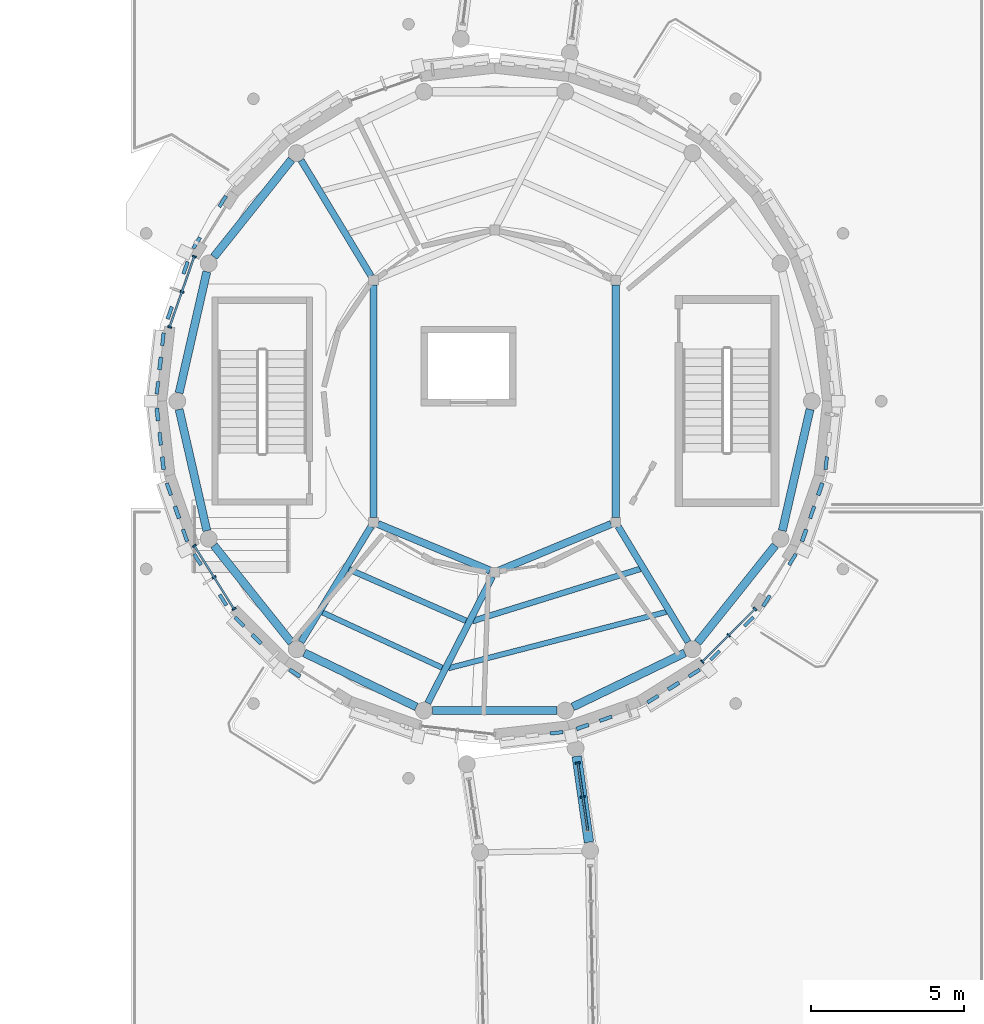
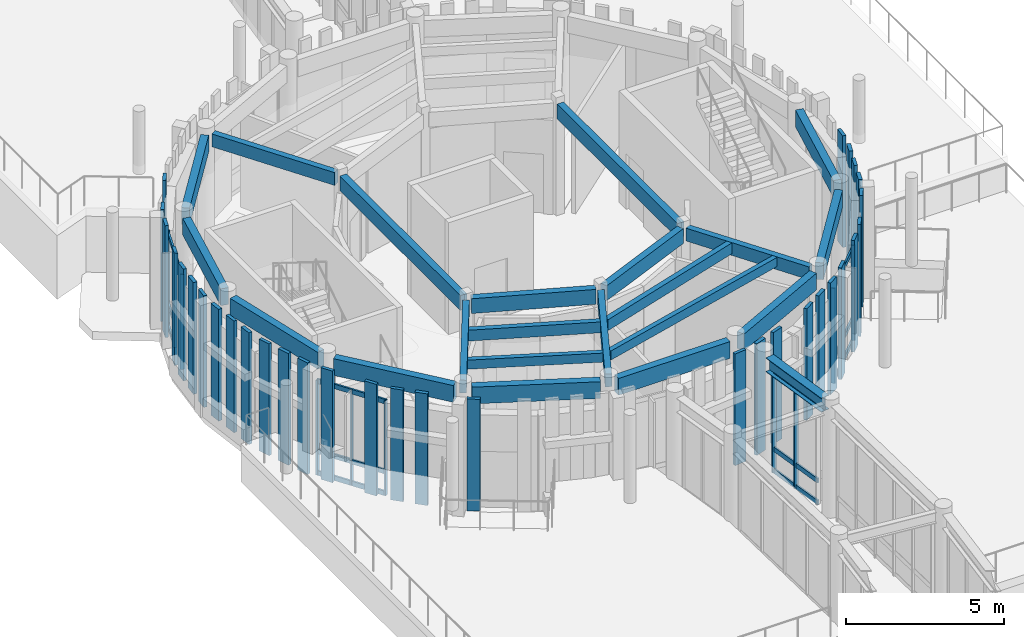
# One storey, part 11 of 94: 55 members, 22 beams, 4 elements without a shape of their own.
"""IFC4 building model written with IfcOpenShell, lengths in metres."""

from ifc_helpers import new_model, si_unit, direction, frame, origin, origin_2d, place, context, subcontext, project, spatial, rectangle, i_section, extrude, material, layer, layer_set, material_profile, profile_set, type_object, element, aggregate, save


model = new_model("IFC4")

# Units and contexts
model_context = context("Model", 3, precision=1e-05, world=origin(), true_north=direction((0.0, 1.0)))
body_context = subcontext(model_context, "Body", "Model", "MODEL_VIEW")
ifc_project = project(units=[si_unit("LENGTHUNIT", "METRE"), si_unit("AREAUNIT", "SQUARE_METRE"), si_unit("VOLUMEUNIT", "CUBIC_METRE"), si_unit("PLANEANGLEUNIT", "RADIAN"), si_unit("MASSUNIT", "GRAM", prefix="KILO")], contexts=[model_context])

# Site, building, storey
site_placement = place(None, origin())
site = spatial("IfcSite", under=ifc_project, at=site_placement, CompositionType="ELEMENT")
building_placement = place(site_placement, origin())
building = spatial("IfcBuilding", under=site, at=building_placement, Name="Aldenvaro Health Centre", CompositionType="ELEMENT")
storey_placement = place(building_placement, origin())
storey = spatial("IfcBuildingStorey", under=building, at=storey_placement, Name="L00", CompositionType="ELEMENT", Elevation=0.0)

# Beams
ifc_material_1 = material(Name="Glulam GL28h", Category="wood")
ifc_material_profile_1 = material_profile(ifc_material_1, rectangle(XDim=0.175048828125, YDim=0.35009765625, at=origin_2d()), Name="GL 175x350", Category="wood")
ifc_profile_set_1 = profile_set([ifc_material_profile_1], Name="Glulam GL28h")
beam_type_1 = type_object("IfcBeamType", Name="BM-GL-350", PredefinedType="JOIST", material=ifc_profile_set_1)
beam_1_placement = place(storey_placement, frame((17.87890625, 50.5859375, 4.1298828125), z_axis=(0.907768314823, -0.419471913963, 0.0), x_axis=(0.419471913963, 0.907768314823, 0.0)))
element("IfcBeam", 1, at=beam_1_placement, inside=storey, type_object=beam_type_1, Name="D3 L00 secondary joist 04.2", PredefinedType="JOIST", context=body_context, shape_type="SweptSolid", body=[
    extrude(rectangle(XDim=0.175048828125, YDim=0.35009765625, at=origin_2d()), origin(), (0.0, 0.0, 1.0), 4.302978515625),
])
beam_2_placement = place(storey_placement, frame((21.987060546875, 48.762939453125, 4.1298828125), z_axis=(0.968184326998, 0.250238104522, 0.0), x_axis=(-0.250238104522, 0.968184326998, 0.0)))
element("IfcBeam", 2, at=beam_2_placement, inside=storey, type_object=beam_type_1, Name="D3 L00 secondary joist 05.2", PredefinedType="JOIST", context=body_context, shape_type="SweptSolid", body=[
    extrude(rectangle(XDim=0.175048828125, YDim=0.35009765625, at=origin_2d()), origin(), (0.0, 0.0, 1.0), 7.361083984375),
])
ifc_material_profile_2 = material_profile(ifc_material_1, rectangle(XDim=0.18994140625, YDim=0.41796875, at=origin_2d()), Name="GL 190x418", Category="wood")
ifc_profile_set_2 = profile_set([ifc_material_profile_2], Name="Glulam GL28h")
beam_type_2 = type_object("IfcBeamType", Name="BM-GL-418", PredefinedType="JOIST", material=ifc_profile_set_2)
beam_3_placement = place(storey_placement, frame((18.73388671875, 52.0009765625, 4.095947265625), z_axis=(0.915566593655, -0.402166399122, 0.0), x_axis=(0.402166399122, 0.915566593655, 0.0)))
element("IfcBeam", 3, at=beam_3_placement, inside=storey, type_object=beam_type_2, Name="D3 L00 secondary joist 04.1", PredefinedType="JOIST", context=body_context, shape_type="SweptSolid", body=[
    extrude(rectangle(XDim=0.18994140625, YDim=0.41796875, at=origin_2d()), origin(), (0.0, 0.0, 1.0), 4.18994140625),
])
beam_4_placement = place(storey_placement, frame((22.77099609375, 50.304931640625, 4.095947265625), z_axis=(0.954919380911, 0.296865248825, 0.0), x_axis=(-0.296865248825, 0.954919380911, 0.0)))
element("IfcBeam", 4, at=beam_4_placement, inside=storey, type_object=beam_type_2, Name="D3 L00 secondary joist 05.1", PredefinedType="JOIST", context=body_context, shape_type="SweptSolid", body=[
    extrude(rectangle(XDim=0.18994140625, YDim=0.41796875, at=origin_2d()), origin(), (0.0, 0.0, 1.0), 5.750244140625),
])
ifc_material_profile_3 = material_profile(ifc_material_1, rectangle(XDim=0.215087890625, YDim=0.493896484375, at=origin_2d()), Name="GL 215x494", Category="wood")
ifc_profile_set_3 = profile_set([ifc_material_profile_3], Name="Glulam GL28h")
beam_type_3 = type_object("IfcBeamType", Name="BM-GL-494", PredefinedType="BEAM", material=ifc_profile_set_3)
for number, where, z_axis, x_axis, name in (
    (5, (19.458984375, 61.594970703125, 4.05810546875), (-0.517503931565, 0.855680828823, 0.0), (-0.855680828823, -0.517503931565, 0.0), "D3 L00 radial beam 03"),
    (6, (19.458984375, 53.405029296875, 4.05810546875), (-0.517503931565, -0.855680828823, 0.0), (0.855680828823, -0.517503931565, 0.0), "D3 L00 radial beam 04"),
):
    element("IfcBeam", number, at=place(storey_placement, frame(where, z_axis=z_axis, x_axis=x_axis)), inside=storey, type_object=beam_type_3, Name=name, PredefinedType="BEAM", context=body_context, shape_type="SweptSolid", body=[
        extrude(rectangle(XDim=0.215087890625, YDim=0.493896484375, at=origin_2d()), origin(), (0.0, 0.0, 1.0), 4.42333984375),
    ])
beam_5_placement = place(storey_placement, frame((23.427978515625, 51.760009765625, 4.05810546875), z_axis=(-0.455040655824, -0.890470662934, 0.0), x_axis=(0.890470662934, -0.455040655824, 0.0)))
element("IfcBeam", 7, at=beam_5_placement, inside=storey, type_object=beam_type_3, Name="D3 L00 radial beam 05", PredefinedType="BEAM", context=body_context, shape_type="SweptSolid", body=[
    extrude(rectangle(XDim=0.215087890625, YDim=0.493896484375, at=origin_2d()), origin(), (0.0, 0.0, 1.0), 4.6435546875),
])
beam_6_placement = place(storey_placement, frame((27.541015625, 53.405029296875, 4.05810546875), z_axis=(0.517503931565, -0.855680828823, 0.0), x_axis=(0.855680828823, 0.517503931565, 0.0)))
element("IfcBeam", 8, at=beam_6_placement, inside=storey, type_object=beam_type_3, Name="D3 L00 radial beam 06", PredefinedType="BEAM", context=body_context, shape_type="SweptSolid", body=[
    extrude(rectangle(XDim=0.215087890625, YDim=0.493896484375, at=origin_2d()), origin(), (0.0, 0.0, 1.0), 4.42333984375),
])
ifc_material_profile_4 = material_profile(ifc_material_1, rectangle(XDim=0.239990234375, YDim=0.570068359375, at=origin_2d()), Name="GL 240x570", Category="wood")
ifc_profile_set_4 = profile_set([ifc_material_profile_4], Name="Glulam GL28h")
beam_type_4 = type_object("IfcBeamType", Name="BM-GL-570", PredefinedType="BEAM", material=ifc_profile_set_4)
beam_7_placement = place(storey_placement, frame((19.5400390625, 61.302978515625, 4.02001953125), z_axis=(0.0, -1.0, 0.0), x_axis=(1.0, 0.0, 0.0)))
element("IfcBeam", 9, at=beam_7_placement, inside=storey, type_object=beam_type_4, Name="D3 L00 inner ring beam 03", PredefinedType="BEAM", context=body_context, shape_type="SweptSolid", body=[
    extrude(rectangle(XDim=0.239990234375, YDim=0.570068359375, at=origin_2d()), origin(), (0.0, 0.0, 1.0), 7.60595703125),
])
for number, where, z_axis, x_axis, name in (
    (10, (19.68603515625, 53.47998046875, 4.02001953125), (0.923817443679, -0.382833293686, 0.0), (0.382833293686, 0.923817443679, 0.0), "D3 L00 inner ring beam 04"),
    (11, (23.64599609375, 51.9599609375, 4.02001953125), (0.923817443679, 0.382833293686, 0.0), (-0.382833293686, 0.923817443679, 0.0), "D3 L00 inner ring beam 05"),
):
    element("IfcBeam", number, at=place(storey_placement, frame(where, z_axis=z_axis, x_axis=x_axis)), inside=storey, type_object=beam_type_4, Name=name, PredefinedType="BEAM", context=body_context, shape_type="SweptSolid", body=[
        extrude(rectangle(XDim=0.239990234375, YDim=0.570068359375, at=origin_2d()), origin(), (0.0, 0.0, 1.0), 3.970458984375),
    ])
beam_8_placement = place(storey_placement, frame((27.4599609375, 53.697021484375, 4.02001953125), z_axis=(0.0, 1.0, 0.0), x_axis=(-1.0, 0.0, 0.0)))
element("IfcBeam", 12, at=beam_8_placement, inside=storey, type_object=beam_type_4, Name="D3 L00 inner ring beam 06", PredefinedType="BEAM", context=body_context, shape_type="SweptSolid", body=[
    extrude(rectangle(XDim=0.239990234375, YDim=0.570068359375, at=origin_2d()), origin(), (0.0, 0.0, 1.0), 7.60595703125),
])
ifc_material_profile_5 = material_profile(ifc_material_1, rectangle(XDim=0.264892578125, YDim=0.64599609375, at=origin_2d()), Name="GL 265x646", Category="wood")
ifc_profile_set_5 = profile_set([ifc_material_profile_5], Name="Glulam GL28h")
beam_type_5 = type_object("IfcBeamType", Name="BM-GL-646", PredefinedType="SPANDREL", material=ifc_profile_set_5)
beam_9_placement = place(storey_placement, frame((16.85693359375, 65.39990234375, 3.98193359375), z_axis=(-0.623662856495, -0.781693444663, 0.0), x_axis=(0.781693444663, -0.623662856495, 0.0)))
element("IfcBeam", 13, at=beam_9_placement, inside=storey, type_object=beam_type_5, Name="D3 L00 perimeter spandrel 06", PredefinedType="SPANDREL", context=body_context, shape_type="SweptSolid", body=[
    extrude(rectangle(XDim=0.264892578125, YDim=0.64599609375, at=origin_2d()), origin(), (0.0, 0.0, 1.0), 4.0693359375),
])
for number, where, z_axis, x_axis, name in (
    (14, (14.0869140625, 61.736083984375, 3.98193359375), (-0.222598403524, -0.97491022702, 0.0), (0.97491022702, -0.222598403524, 0.0), "D3 L00 perimeter spandrel 07"),
    (15, (13.180908203125, 57.23193359375, 3.98193359375), (0.222598403524, -0.97491022702, 0.0), (0.97491022702, 0.222598403524, 0.0), "D3 L00 perimeter spandrel 08"),
):
    element("IfcBeam", number, at=place(storey_placement, frame(where, z_axis=z_axis, x_axis=x_axis)), inside=storey, type_object=beam_type_5, Name=name, PredefinedType="SPANDREL", context=body_context, shape_type="SweptSolid", body=[
        extrude(rectangle(XDim=0.264892578125, YDim=0.64599609375, at=origin_2d()), origin(), (0.0, 0.0, 1.0), 4.070068359375),
    ])
beam_10_placement = place(storey_placement, frame((14.319091796875, 52.781005859375, 3.98193359375), z_axis=(0.623662856495, -0.781693444663, 0.0), x_axis=(0.781693444663, 0.623662856495, 0.0)))
element("IfcBeam", 16, at=beam_10_placement, inside=storey, type_object=beam_type_5, Name="D3 L00 perimeter spandrel 09", PredefinedType="SPANDREL", context=body_context, shape_type="SweptSolid", body=[
    extrude(rectangle(XDim=0.264892578125, YDim=0.64599609375, at=origin_2d()), origin(), (0.0, 0.0, 1.0), 4.0693359375),
])
beam_11_placement = place(storey_placement, frame((17.27587890625, 49.26611328125, 3.98193359375), z_axis=(0.900812260888, -0.434208786914, 0.0), x_axis=(0.434208786914, 0.900812260888, 0.0)))
element("IfcBeam", 17, at=beam_11_placement, inside=storey, type_object=beam_type_5, Name="D3 L00 perimeter spandrel 10", PredefinedType="SPANDREL", context=body_context, shape_type="SweptSolid", body=[
    extrude(rectangle(XDim=0.264892578125, YDim=0.64599609375, at=origin_2d()), origin(), (0.0, 0.0, 1.0), 4.069580078125),
])
beam_12_placement = place(storey_placement, frame((21.465087890625, 47.3798828125, 3.98193359375), z_axis=(1.0, 0.0, 0.0), x_axis=(0.0, 1.0, 0.0)))
element("IfcBeam", 18, at=beam_12_placement, inside=storey, type_object=beam_type_5, Name="D3 L00 perimeter spandrel 11", PredefinedType="SPANDREL", context=body_context, shape_type="SweptSolid", body=[
    extrude(rectangle(XDim=0.264892578125, YDim=0.64599609375, at=origin_2d()), origin(), (0.0, 0.0, 1.0), 4.06982421875),
])
beam_13_placement = place(storey_placement, frame((26.05810546875, 47.4990234375, 3.98193359375), z_axis=(0.900812260888, 0.434208786914, 0.0), x_axis=(-0.434208786914, 0.900812260888, 0.0)))
element("IfcBeam", 19, at=beam_13_placement, inside=storey, type_object=beam_type_5, Name="D3 L00 perimeter spandrel 12", PredefinedType="SPANDREL", context=body_context, shape_type="SweptSolid", body=[
    extrude(rectangle(XDim=0.264892578125, YDim=0.64599609375, at=origin_2d()), origin(), (0.0, 0.0, 1.0), 4.069580078125),
])
beam_14_placement = place(storey_placement, frame((30.14306640625, 49.60009765625, 3.98193359375), z_axis=(0.623662856495, 0.781693444663, 0.0), x_axis=(-0.781693444663, 0.623662856495, 0.0)))
element("IfcBeam", 20, at=beam_14_placement, inside=storey, type_object=beam_type_5, Name="D3 L00 perimeter spandrel 13", PredefinedType="SPANDREL", context=body_context, shape_type="SweptSolid", body=[
    extrude(rectangle(XDim=0.264892578125, YDim=0.64599609375, at=origin_2d()), origin(), (0.0, 0.0, 1.0), 4.0693359375),
])
beam_15_placement = place(storey_placement, frame((32.9130859375, 53.263916015625, 3.98193359375), z_axis=(0.222598403524, 0.97491022702, 0.0), x_axis=(-0.97491022702, 0.222598403524, 0.0)))
element("IfcBeam", 21, at=beam_15_placement, inside=storey, type_object=beam_type_5, Name="D3 L00 perimeter spandrel 14", PredefinedType="SPANDREL", context=body_context, shape_type="SweptSolid", body=[
    extrude(rectangle(XDim=0.264892578125, YDim=0.64599609375, at=origin_2d()), origin(), (0.0, 0.0, 1.0), 4.070068359375),
])
ifc_material_2 = material(Name="Steel ASTM A992 Grade 50", Category="steel")
ifc_material_profile_6 = material_profile(ifc_material_2, i_section(OverallWidth=0.31201171875, OverallDepth=0.54296875, WebThickness=0.0126953125, FlangeThickness=0.020263671875, at=origin_2d()), Name="W21X101", Category="steel")
ifc_profile_set_6 = profile_set([ifc_material_profile_6], Name="Steel ASTM A992 Grade 50")
beam_type_6 = type_object("IfcBeamType", Name="BM-ST-W21E", PredefinedType="BEAM", material=ifc_profile_set_6)
beam_16_placement = place(storey_placement, frame((26.5869140625, 43.073974609375, 4.073974609375), z_axis=(-0.140312540229, 0.990107262399, 0.0), x_axis=(-0.990107262399, -0.140312540229, 0.0)))
element("IfcBeam", 22, at=beam_16_placement, inside=storey, type_object=beam_type_6, Name="West South Curved Garden Walkway Arc 3 L00 girder R-1", PredefinedType="BEAM", context=body_context, shape_type="SweptSolid", body=[
    extrude(i_section(OverallWidth=0.31201171875, OverallDepth=0.54296875, WebThickness=0.0126953125, FlangeThickness=0.020263671875, at=origin_2d()), origin(), (0.0, 0.0, 1.0), 2.836181640625),
])

# Curtain wall, members
ifc_material_3 = material(Name="Anodised Aluminium 6063-T6", Category="aluminium")
ifc_layer_1 = layer(ifc_material_3, 0.195068359375, Name="Anodised Aluminium 6063-T6", Category="aluminium")
ifc_layer_set_1 = layer_set([ifc_layer_1], Name="Anodised Aluminium 6063-T6")
curtain_wall_type_1 = type_object("IfcCurtainWallType", Name="CW-CLN-02", PredefinedType="NOTDEFINED", material=ifc_layer_set_1)
curtain_wall_1_placement = place(storey_placement, origin())
curtain_wall_1 = element("IfcCurtainWall", 23, at=curtain_wall_1_placement, inside=storey, type_object=curtain_wall_type_1, Name="D3 L00 curtain wall bay 04", PredefinedType="NOTDEFINED")
ifc_material_profile_7 = material_profile(ifc_material_3, rectangle(XDim=0.06005859375, YDim=0.135009765625, at=origin_2d()), Name="ALU 60x135", Category="aluminium")
ifc_profile_set_7 = profile_set([ifc_material_profile_7], Name="Anodised Aluminium 6063-T6")
member_type_1 = type_object("IfcMemberType", Name="CWM-150", PredefinedType="MULLION", material=ifc_profile_set_7)
member_1_placement = place(storey_placement, frame((32.02197265625, 50.7041015625, 0.0), z_axis=(0.0, 0.0, 1.0), x_axis=(-0.707106781187, -0.707106781187, 0.0)))
member_1 = element("IfcMember", 24, at=member_1_placement, type_object=member_type_1, Name="D3 L00 curtain wall bay 04 mullion 1", PredefinedType="MULLION", context=body_context, shape_type="SweptSolid", body=[
    extrude(rectangle(XDim=0.06005859375, YDim=0.135009765625, at=origin_2d()), origin(), (0.0, 0.0, 1.0), 3.658935546875),
])
member_2_placement = place(storey_placement, frame((31.158935546875, 49.841064453125, 0.0), z_axis=(0.0, 0.0, 1.0), x_axis=(-0.707106781187, -0.707106781187, 0.0)))
member_2 = element("IfcMember", 25, at=member_2_placement, type_object=member_type_1, Name="D3 L00 curtain wall bay 04 mullion 2", PredefinedType="MULLION", context=body_context, shape_type="SweptSolid", body=[
    extrude(rectangle(XDim=0.06005859375, YDim=0.135009765625, at=origin_2d()), origin(), (0.0, 0.0, 1.0), 3.658935546875),
])
member_3_placement = place(storey_placement, frame((30.2958984375, 48.97802734375, 0.0), z_axis=(0.0, 0.0, 1.0), x_axis=(-0.707106781187, -0.707106781187, 0.0)))
member_3 = element("IfcMember", 26, at=member_3_placement, type_object=member_type_1, Name="D3 L00 curtain wall bay 04 mullion 3", PredefinedType="MULLION", context=body_context, shape_type="SweptSolid", body=[
    extrude(rectangle(XDim=0.06005859375, YDim=0.135009765625, at=origin_2d()), origin(), (0.0, 0.0, 1.0), 3.658935546875),
])

curtain_wall_2_placement = place(storey_placement, origin())
curtain_wall_2 = element("IfcCurtainWall", 27, at=curtain_wall_2_placement, inside=storey, type_object=curtain_wall_type_1, Name="D3 L00 curtain wall bay 12", PredefinedType="NOTDEFINED")
member_4_placement = place(storey_placement, frame((14.97802734375, 50.7041015625, 0.0), z_axis=(0.0, 0.0, 1.0), x_axis=(-0.532096042675, 0.846684003256, 0.0)))
member_4 = element("IfcMember", 28, at=member_4_placement, type_object=member_type_1, Name="D3 L00 curtain wall bay 12 mullion 1", PredefinedType="MULLION", context=body_context, shape_type="SweptSolid", body=[
    extrude(rectangle(XDim=0.06005859375, YDim=0.135009765625, at=origin_2d()), origin(), (0.0, 0.0, 1.0), 3.658935546875),
])
member_5_placement = place(storey_placement, frame((14.3291015625, 51.737060546875, 0.0), z_axis=(0.0, 0.0, 1.0), x_axis=(-0.532096042675, 0.846684003256, 0.0)))
member_5 = element("IfcMember", 29, at=member_5_placement, type_object=member_type_1, Name="D3 L00 curtain wall bay 12 mullion 2", PredefinedType="MULLION", context=body_context, shape_type="SweptSolid", body=[
    extrude(rectangle(XDim=0.06005859375, YDim=0.135009765625, at=origin_2d()), origin(), (0.0, 0.0, 1.0), 3.658935546875),
])
member_6_placement = place(storey_placement, frame((13.678955078125, 52.77099609375, 0.0), z_axis=(0.0, 0.0, 1.0), x_axis=(-0.532096042675, 0.846684003256, 0.0)))
member_6 = element("IfcMember", 30, at=member_6_placement, type_object=member_type_1, Name="D3 L00 curtain wall bay 12 mullion 3", PredefinedType="MULLION", context=body_context, shape_type="SweptSolid", body=[
    extrude(rectangle(XDim=0.06005859375, YDim=0.135009765625, at=origin_2d()), origin(), (0.0, 0.0, 1.0), 3.658935546875),
])

curtain_wall_3_placement = place(storey_placement, origin())
curtain_wall_3 = element("IfcCurtainWall", 31, at=curtain_wall_3_placement, inside=storey, type_object=curtain_wall_type_1, Name="D3 L00 curtain wall bay 16", PredefinedType="NOTDEFINED")
member_7_placement = place(storey_placement, frame((12.873046875, 59.925048828125, 0.0), z_axis=(0.0, 0.0, 1.0), x_axis=(0.330204431323, 0.943909441385, 0.0)))
member_7 = element("IfcMember", 32, at=member_7_placement, type_object=member_type_1, Name="D3 L00 curtain wall bay 16 mullion 1", PredefinedType="MULLION", context=body_context, shape_type="SweptSolid", body=[
    extrude(rectangle(XDim=0.06005859375, YDim=0.135009765625, at=origin_2d()), origin(), (0.0, 0.0, 1.0), 3.658935546875),
])
member_8_placement = place(storey_placement, frame((13.27587890625, 61.076904296875, 0.0), z_axis=(0.0, 0.0, 1.0), x_axis=(0.330204431323, 0.943909441385, 0.0)))
member_8 = element("IfcMember", 33, at=member_8_placement, type_object=member_type_1, Name="D3 L00 curtain wall bay 16 mullion 2", PredefinedType="MULLION", context=body_context, shape_type="SweptSolid", body=[
    extrude(rectangle(XDim=0.06005859375, YDim=0.135009765625, at=origin_2d()), origin(), (0.0, 0.0, 1.0), 3.658935546875),
])
member_9_placement = place(storey_placement, frame((13.678955078125, 62.22900390625, 0.0), z_axis=(0.0, 0.0, 1.0), x_axis=(0.330204431323, 0.943909441385, 0.0)))
member_9 = element("IfcMember", 34, at=member_9_placement, type_object=member_type_1, Name="D3 L00 curtain wall bay 16 mullion 3", PredefinedType="MULLION", context=body_context, shape_type="SweptSolid", body=[
    extrude(rectangle(XDim=0.06005859375, YDim=0.135009765625, at=origin_2d()), origin(), (0.0, 0.0, 1.0), 3.658935546875),
])

ifc_layer_2 = layer(ifc_material_3, 0.2099609375, Name="Anodised Aluminium 6063-T6", Category="aluminium")
ifc_layer_set_2 = layer_set([ifc_layer_2], Name="Anodised Aluminium 6063-T6")
curtain_wall_type_2 = type_object("IfcCurtainWallType", Name="CW-BRG-03", PredefinedType="NOTDEFINED", material=ifc_layer_set_2)
curtain_wall_4_placement = place(storey_placement, origin())
curtain_wall_4 = element("IfcCurtainWall", 35, at=curtain_wall_4_placement, inside=storey, type_object=curtain_wall_type_2, Name="West South Curved Garden Walkway Arc 3 L00 glazed link wall R-1.1", PredefinedType="NOTDEFINED")
ifc_material_profile_8 = material_profile(ifc_material_3, rectangle(XDim=0.06005859375, YDim=0.159912109375, at=origin_2d()), Name="ALU 60x160", Category="aluminium")
ifc_profile_set_8 = profile_set([ifc_material_profile_8], Name="Anodised Aluminium 6063-T6")
member_type_2 = type_object("IfcMemberType", Name="CWM-180", PredefinedType="MULLION", material=ifc_profile_set_8)
member_10_placement = place(storey_placement, frame((26.384033203125, 44.555908203125, 0.0), z_axis=(0.0, 0.0, 1.0), x_axis=(-0.144980265004, 0.989434546981, 0.0)))
member_10 = element("IfcMember", 36, at=member_10_placement, type_object=member_type_2, Name="West South Curved Garden Walkway Arc 3 L00 glazed link wall R-1.1 mullion 2", PredefinedType="MULLION", context=body_context, shape_type="SweptSolid", body=[
    extrude(rectangle(XDim=0.06005859375, YDim=0.159912109375, at=origin_2d()), origin(), (0.0, 0.0, 1.0), 3.804931640625),
])
member_11_placement = place(storey_placement, frame((26.220947265625, 45.6650390625, 0.0), z_axis=(0.0, 0.0, 1.0), x_axis=(-0.144980265004, 0.989434546981, 0.0)))
member_11 = element("IfcMember", 37, at=member_11_placement, type_object=member_type_2, Name="West South Curved Garden Walkway Arc 3 L00 glazed link wall R-1.1 mullion 3", PredefinedType="MULLION", context=body_context, shape_type="SweptSolid", body=[
    extrude(rectangle(XDim=0.06005859375, YDim=0.159912109375, at=origin_2d()), origin(), (0.0, 0.0, 1.0), 3.804931640625),
])

# Member
ifc_material_profile_9 = material_profile(ifc_material_3, rectangle(XDim=0.06494140625, YDim=0.179931640625, at=origin_2d()), Name="ALU 65x180", Category="aluminium")
ifc_profile_set_9 = profile_set([ifc_material_profile_9], Name="Anodised Aluminium 6063-T6")
member_type_3 = type_object("IfcMemberType", Name="CWT-150", PredefinedType="USERDEFINED", material=ifc_profile_set_9)
member_12_placement = place(storey_placement, frame((32.02197265625, 50.7041015625, 0.06005859375), z_axis=(-0.707106781187, -0.707106781187, 0.0), x_axis=(0.707106781187, -0.707106781187, 0.0)))
member_12 = element("IfcMember", 38, at=member_12_placement, type_object=member_type_3, Name="D3 L00 curtain wall bay 04 transom 1", ObjectType="TRANSOM", PredefinedType="USERDEFINED", context=body_context, shape_type="SweptSolid", body=[
    extrude(rectangle(XDim=0.06494140625, YDim=0.179931640625, at=origin_2d()), origin(), (0.0, 0.0, 1.0), 2.44091796875),
])

member_13_placement = place(storey_placement, frame((32.02197265625, 50.7041015625, 0.89990234375), z_axis=(-0.707106781187, -0.707106781187, 0.0), x_axis=(0.707106781187, -0.707106781187, 0.0)))
member_13 = element("IfcMember", 39, at=member_13_placement, type_object=member_type_3, Name="D3 L00 curtain wall bay 04 transom 2", ObjectType="TRANSOM", PredefinedType="USERDEFINED", context=body_context, shape_type="SweptSolid", body=[
    extrude(rectangle(XDim=0.06494140625, YDim=0.179931640625, at=origin_2d()), origin(), (0.0, 0.0, 1.0), 2.44091796875),
])

member_14_placement = place(storey_placement, frame((32.02197265625, 50.7041015625, 3.59912109375), z_axis=(-0.707106781187, -0.707106781187, 0.0), x_axis=(0.707106781187, -0.707106781187, 0.0)))
member_14 = element("IfcMember", 40, at=member_14_placement, type_object=member_type_3, Name="D3 L00 curtain wall bay 04 transom 3", ObjectType="TRANSOM", PredefinedType="USERDEFINED", context=body_context, shape_type="SweptSolid", body=[
    extrude(rectangle(XDim=0.06494140625, YDim=0.179931640625, at=origin_2d()), origin(), (0.0, 0.0, 1.0), 2.44091796875),
])

aggregate(curtain_wall_1, [member_1, member_2, member_3, member_12, member_13, member_14])

member_15_placement = place(storey_placement, frame((14.97802734375, 50.7041015625, 0.06005859375), z_axis=(-0.532136726684, 0.846658434148, 0.0), x_axis=(-0.846658434148, -0.532136726684, 0.0)))
member_15 = element("IfcMember", 41, at=member_15_placement, type_object=member_type_3, Name="D3 L00 curtain wall bay 12 transom 1", ObjectType="TRANSOM", PredefinedType="USERDEFINED", context=body_context, shape_type="SweptSolid", body=[
    extrude(rectangle(XDim=0.06494140625, YDim=0.179931640625, at=origin_2d()), origin(), (0.0, 0.0, 1.0), 2.441162109375),
])

member_16_placement = place(storey_placement, frame((14.97802734375, 50.7041015625, 0.89990234375), z_axis=(-0.532136726684, 0.846658434148, 0.0), x_axis=(-0.846658434148, -0.532136726684, 0.0)))
member_16 = element("IfcMember", 42, at=member_16_placement, type_object=member_type_3, Name="D3 L00 curtain wall bay 12 transom 2", ObjectType="TRANSOM", PredefinedType="USERDEFINED", context=body_context, shape_type="SweptSolid", body=[
    extrude(rectangle(XDim=0.06494140625, YDim=0.179931640625, at=origin_2d()), origin(), (0.0, 0.0, 1.0), 2.441162109375),
])

member_17_placement = place(storey_placement, frame((14.97802734375, 50.7041015625, 3.59912109375), z_axis=(-0.532136726684, 0.846658434148, 0.0), x_axis=(-0.846658434148, -0.532136726684, 0.0)))
member_17 = element("IfcMember", 43, at=member_17_placement, type_object=member_type_3, Name="D3 L00 curtain wall bay 12 transom 3", ObjectType="TRANSOM", PredefinedType="USERDEFINED", context=body_context, shape_type="SweptSolid", body=[
    extrude(rectangle(XDim=0.06494140625, YDim=0.179931640625, at=origin_2d()), origin(), (0.0, 0.0, 1.0), 2.441162109375),
])

aggregate(curtain_wall_2, [member_4, member_5, member_6, member_15, member_16, member_17])

member_18_placement = place(storey_placement, frame((12.873046875, 59.925048828125, 0.06005859375), z_axis=(0.330176659411, 0.943919156274, 0.0), x_axis=(-0.943919156274, 0.330176659411, 0.0)))
member_18 = element("IfcMember", 44, at=member_18_placement, type_object=member_type_3, Name="D3 L00 curtain wall bay 16 transom 1", ObjectType="TRANSOM", PredefinedType="USERDEFINED", context=body_context, shape_type="SweptSolid", body=[
    extrude(rectangle(XDim=0.06494140625, YDim=0.179931640625, at=origin_2d()), origin(), (0.0, 0.0, 1.0), 2.44091796875),
])

member_19_placement = place(storey_placement, frame((12.873046875, 59.925048828125, 0.89990234375), z_axis=(0.330176659411, 0.943919156274, 0.0), x_axis=(-0.943919156274, 0.330176659411, 0.0)))
member_19 = element("IfcMember", 45, at=member_19_placement, type_object=member_type_3, Name="D3 L00 curtain wall bay 16 transom 2", ObjectType="TRANSOM", PredefinedType="USERDEFINED", context=body_context, shape_type="SweptSolid", body=[
    extrude(rectangle(XDim=0.06494140625, YDim=0.179931640625, at=origin_2d()), origin(), (0.0, 0.0, 1.0), 2.44091796875),
])

member_20_placement = place(storey_placement, frame((12.873046875, 59.925048828125, 3.59912109375), z_axis=(0.330176659411, 0.943919156274, 0.0), x_axis=(-0.943919156274, 0.330176659411, 0.0)))
member_20 = element("IfcMember", 46, at=member_20_placement, type_object=member_type_3, Name="D3 L00 curtain wall bay 16 transom 3", ObjectType="TRANSOM", PredefinedType="USERDEFINED", context=body_context, shape_type="SweptSolid", body=[
    extrude(rectangle(XDim=0.06494140625, YDim=0.179931640625, at=origin_2d()), origin(), (0.0, 0.0, 1.0), 2.44091796875),
])

aggregate(curtain_wall_3, [member_7, member_8, member_9, member_18, member_19, member_20])

member_21_placement = place(storey_placement, frame((26.5458984375, 43.447021484375, 0.06005859375), z_axis=(-0.144957816166, 0.989437836113, 0.0), x_axis=(-0.989437836113, -0.144957816166, 0.0)))
member_21 = element("IfcMember", 47, at=member_21_placement, type_object=member_type_3, Name="West South Curved Garden Walkway Arc 3 L00 glazed link wall R-1.1 transom 1", ObjectType="TRANSOM", PredefinedType="USERDEFINED", context=body_context, shape_type="SweptSolid", body=[
    extrude(rectangle(XDim=0.06494140625, YDim=0.179931640625, at=origin_2d()), origin(), (0.0, 0.0, 1.0), 2.24169921875),
])

member_22_placement = place(storey_placement, frame((26.5458984375, 43.447021484375, 0.89990234375), z_axis=(-0.144957816166, 0.989437836113, 0.0), x_axis=(-0.989437836113, -0.144957816166, 0.0)))
member_22 = element("IfcMember", 48, at=member_22_placement, type_object=member_type_3, Name="West South Curved Garden Walkway Arc 3 L00 glazed link wall R-1.1 transom 2", ObjectType="TRANSOM", PredefinedType="USERDEFINED", context=body_context, shape_type="SweptSolid", body=[
    extrude(rectangle(XDim=0.06494140625, YDim=0.179931640625, at=origin_2d()), origin(), (0.0, 0.0, 1.0), 2.24169921875),
])

member_23_placement = place(storey_placement, frame((26.5458984375, 43.447021484375, 3.7451171875), z_axis=(-0.144957816166, 0.989437836113, 0.0), x_axis=(-0.989437836113, -0.144957816166, 0.0)))
member_23 = element("IfcMember", 49, at=member_23_placement, type_object=member_type_3, Name="West South Curved Garden Walkway Arc 3 L00 glazed link wall R-1.1 transom 3", ObjectType="TRANSOM", PredefinedType="USERDEFINED", context=body_context, shape_type="SweptSolid", body=[
    extrude(rectangle(XDim=0.06494140625, YDim=0.179931640625, at=origin_2d()), origin(), (0.0, 0.0, 1.0), 2.24169921875),
])

aggregate(curtain_wall_4, [member_10, member_11, member_21, member_22, member_23])

# Members
ifc_material_profile_10 = material_profile(ifc_material_1, rectangle(XDim=0.114990234375, YDim=0.419921875, at=origin_2d()), Name="GL 115x420", Category="wood")
ifc_profile_set_10 = profile_set([ifc_material_profile_10], Name="Glulam GL28h")
member_type_4 = type_object("IfcMemberType", Name="MEM-SLT-420A", PredefinedType="POST", material=ifc_profile_set_10)
for number, where, z_axis, x_axis, name in (
    (50, (34.347900390625, 55.472900390625, 0.0), (0.0, 0.0, 1.0), (0.993722777443, -0.111870646695, 0.0), "D3 L00 vertical timber slat 1.3"),
    (51, (33.888916015625, 53.864990234375, 0.0), (0.0, 0.0, 1.0), (0.943909441385, -0.330204431323, 0.0), "D3 L00 vertical timber slat 2.2"),
    (52, (33.24609375, 52.322021484375, 0.0), (0.0, 0.0, 1.0), (0.846684003256, -0.532096042675, 0.0), "D3 L00 vertical timber slat 3.1"),
    (53, (32.39404296875, 50.966064453125, 0.0), (0.0, 0.0, 1.0), (0.846684003256, -0.532096042675, 0.0), "D3 L00 vertical timber slat 3.3"),
    (54, (31.81689453125, 50.287109375, 0.0), (0.0, 0.0, 1.0), (0.707106781187, -0.707106781187, 0.0), "D3 L00 curtain mullion timber slat 4"),
    (55, (30.712890625, 49.18310546875, 0.0), (0.0, 0.0, 1.0), (0.707106781187, -0.707106781187, 0.0), "D3 L00 curtain mullion timber slat 4"),
    (56, (30.033935546875, 48.60595703125, 0.0), (0.0, 0.0, 1.0), (0.532096042675, -0.846684003256, 0.0), "D3 L00 vertical timber slat 5.1"),
    (57, (28.677978515625, 47.75390625, 0.0), (0.0, 0.0, 1.0), (0.532096042675, -0.846684003256, 0.0), "D3 L00 vertical timber slat 5.3"),
    (58, (27.135009765625, 47.111083984375, 0.0), (0.0, 0.0, 1.0), (0.330204431323, -0.943909441385, 0.0), "D3 L00 vertical timber slat 6.2"),
    (59, (25.527099609375, 46.652099609375, 0.0), (0.0, 0.0, 1.0), (0.111870646695, -0.993722777443, 0.0), "D3 L00 vertical timber slat 7.1"),
    (60, (15.15087890625, 50.282958984375, 0.0), (0.0, 0.0, 1.0), (-0.707106781187, -0.707106781187, 0.0), "D3 L00 vertical timber slat 11.3"),
    (61, (14.616943359375, 50.99609375, 0.0), (0.0, 0.0, 1.0), (-0.846684003256, -0.532096042675, 0.0), "D3 L00 curtain mullion timber slat 12"),
    (62, (13.785888671875, 52.319091796875, 0.0), (0.0, 0.0, 1.0), (-0.846684003256, -0.532096042675, 0.0), "D3 L00 curtain mullion timber slat 12"),
    (63, (13.375, 53.110107421875, 0.0), (0.0, 0.0, 1.0), (-0.943909441385, -0.330204431323, 0.0), "D3 L00 vertical timber slat 13.1"),
    (64, (12.846923828125, 54.62109375, 0.0), (0.0, 0.0, 1.0), (-0.943909441385, -0.330204431323, 0.0), "D3 L00 vertical timber slat 13.3"),
    (65, (12.56298828125, 56.26806640625, 0.0), (0.0, 0.0, 1.0), (-0.993722777443, -0.111870646695, 0.0), "D3 L00 vertical timber slat 14.2"),
    (66, (12.472900390625, 57.93701171875, 0.0), (0.0, 0.0, 1.0), (-0.993722777443, 0.111870646695, 0.0), "D3 L00 vertical timber slat 15.1"),
    (67, (12.652099609375, 59.527099609375, 0.0), (0.0, 0.0, 1.0), (-0.993722777443, 0.111870646695, 0.0), "D3 L00 vertical timber slat 15.3"),
    (68, (12.8759765625, 60.388916015625, 0.0), (0.0, 0.0, 1.0), (-0.943909441385, 0.330204431323, 0.0), "D3 L00 curtain mullion timber slat 16"),
    (69, (13.39208984375, 61.864013671875, 0.0), (0.0, 0.0, 1.0), (-0.943909441385, 0.330204431323, 0.0), "D3 L00 curtain mullion timber slat 16"),
    (70, (13.75390625, 62.677978515625, 0.0), (0.0, 0.0, 1.0), (-0.846684003256, 0.532096042675, 0.0), "D3 L00 vertical timber slat 17.1"),
    (71, (14.60595703125, 64.033935546875, 0.0), (0.0, 0.0, 1.0), (-0.846684003256, 0.532096042675, 0.0), "D3 L00 vertical timber slat 17.3"),
):
    element("IfcMember", number, at=place(storey_placement, frame(where, z_axis=z_axis, x_axis=x_axis)), inside=storey, type_object=member_type_4, Name=name, PredefinedType="POST", context=body_context, shape_type="SweptSolid", body=[
        extrude(rectangle(XDim=0.114990234375, YDim=0.419921875, at=origin_2d()), origin(), (0.0, 0.0, 1.0), 4.304931640625),
    ])
ifc_material_profile_11 = material_profile(ifc_material_1, rectangle(XDim=0.1298828125, YDim=0.419921875, at=origin_2d()), Name="GL 130x420", Category="wood")
ifc_profile_set_11 = profile_set([ifc_material_profile_11], Name="Glulam GL28h")
member_type_5 = type_object("IfcMemberType", Name="MEM-SLT-420B", PredefinedType="POST", material=ifc_profile_set_11)
for number, where, z_axis, x_axis, name in (
    (72, (34.153076171875, 54.62109375, 0.0), (0.0, 0.0, 1.0), (0.943909441385, -0.330204431323, 0.0), "D3 L00 vertical timber slat 2.1"),
    (73, (33.625, 53.110107421875, 0.0), (0.0, 0.0, 1.0), (0.943909441385, -0.330204431323, 0.0), "D3 L00 vertical timber slat 2.3"),
    (74, (29.35595703125, 48.179931640625, 0.0), (0.0, 0.0, 1.0), (0.532096042675, -0.846684003256, 0.0), "D3 L00 vertical timber slat 5.2"),
    (75, (26.37890625, 46.846923828125, 0.0), (0.0, 0.0, 1.0), (0.330204431323, -0.943909441385, 0.0), "D3 L00 vertical timber slat 6.3"),
    (76, (16.966064453125, 48.60595703125, 0.0), (0.0, 0.0, 1.0), (-0.532096042675, -0.846684003256, 0.0), "D3 L00 vertical timber slat 10.3"),
    (77, (15.717041015625, 49.717041015625, 0.0), (0.0, 0.0, 1.0), (-0.707106781187, -0.707106781187, 0.0), "D3 L00 vertical timber slat 11.2"),
    (78, (13.111083984375, 53.864990234375, 0.0), (0.0, 0.0, 1.0), (-0.943909441385, -0.330204431323, 0.0), "D3 L00 vertical timber slat 13.2"),
    (79, (12.652099609375, 55.472900390625, 0.0), (0.0, 0.0, 1.0), (-0.993722777443, -0.111870646695, 0.0), "D3 L00 vertical timber slat 14.1"),
    (80, (12.472900390625, 57.06298828125, 0.0), (0.0, 0.0, 1.0), (-0.993722777443, -0.111870646695, 0.0), "D3 L00 vertical timber slat 14.3"),
    (81, (12.56298828125, 58.73193359375, 0.0), (0.0, 0.0, 1.0), (-0.993722777443, 0.111870646695, 0.0), "D3 L00 vertical timber slat 15.2"),
):
    element("IfcMember", number, at=place(storey_placement, frame(where, z_axis=z_axis, x_axis=x_axis)), inside=storey, type_object=member_type_5, Name=name, PredefinedType="POST", context=body_context, shape_type="SweptSolid", body=[
        extrude(rectangle(XDim=0.1298828125, YDim=0.419921875, at=origin_2d()), origin(), (0.0, 0.0, 1.0), 4.304931640625),
    ])

save(model, "model.ifc")
